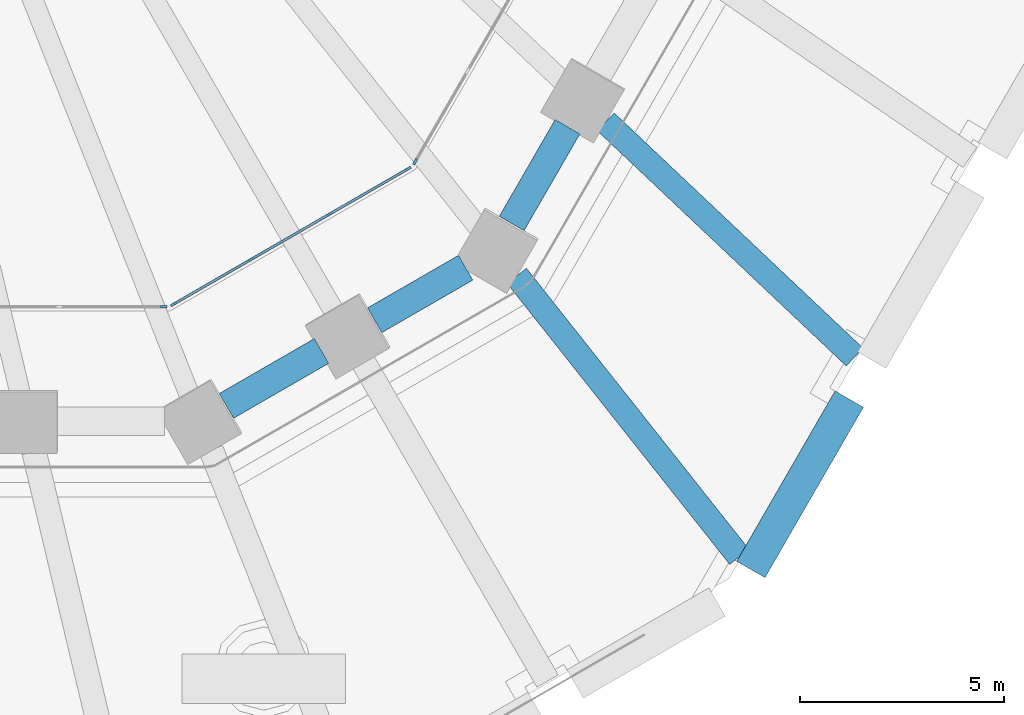
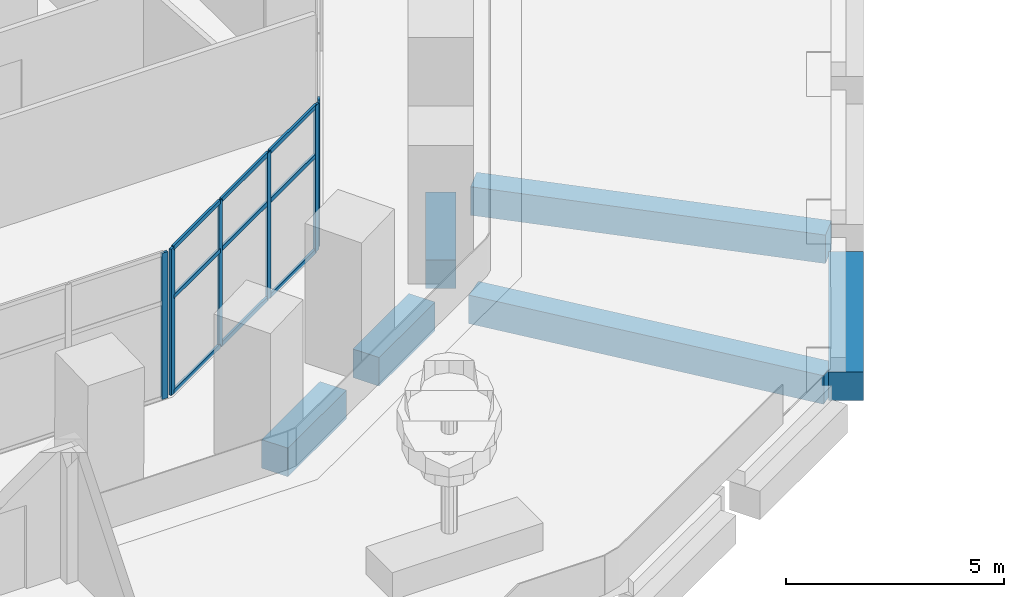
# One storey, part 7 of 32: 15 members, 6 beams, 3 elements without a shape of their own.
"""IFC4 building model written with IfcOpenShell, lengths in metres."""

from ifc_helpers import new_model, si_unit, direction, frame, origin, origin_2d, place, context, subcontext, project, spatial, rectangle, extrude, material, material_profile, profile_set, type_object, element, aggregate, save


model = new_model("IFC4")

# Units and contexts
model_context = context("Model", 3, precision=1e-05, world=origin(), true_north=direction((0.0, 1.0)))
body_context = subcontext(model_context, "Body", "Model", "MODEL_VIEW")
ifc_project = project(units=[si_unit("LENGTHUNIT", "METRE"), si_unit("AREAUNIT", "SQUARE_METRE"), si_unit("VOLUMEUNIT", "CUBIC_METRE"), si_unit("PLANEANGLEUNIT", "RADIAN"), si_unit("MASSUNIT", "GRAM", prefix="KILO")], contexts=[model_context])

# Site, building, storey
site_placement = place(None, origin())
site = spatial("IfcSite", under=ifc_project, at=site_placement, CompositionType="ELEMENT")
building_placement = place(site_placement, origin())
building = spatial("IfcBuilding", under=site, at=building_placement, Name="Frailejon Research Tower", CompositionType="ELEMENT")
storey_placement = place(building_placement, frame((0.0, 0.0, 14.60009765625)))
storey = spatial("IfcBuildingStorey", under=building, at=storey_placement, Name="L03", CompositionType="ELEMENT", Elevation=14.60009765625)

# Beam
ifc_material_1 = material(Name="Concrete C60/75", Category="concrete")
ifc_material_profile_1 = material_profile(ifc_material_1, rectangle(XDim=0.800048828125, YDim=0.800048828125, at=origin_2d()), Name="Base ring beam")
ifc_profile_set_1 = profile_set([ifc_material_profile_1], Name="Concrete C60/75")
beam_type_1 = type_object("IfcBeamType", Name="Base ring beam", PredefinedType="BEAM", material=ifc_profile_set_1)
beam_1_placement = place(storey_placement, frame((24.0595703125, -30.327392578125, -0.800048828125), z_axis=(0.500028306193, 0.866009060579, 0.0), x_axis=(-0.866009060579, 0.500028306193, 0.0)))
element("IfcBeam", 1, at=beam_1_placement, inside=storey, type_object=beam_type_1, Name="Base ring beam", PredefinedType="BEAM", context=body_context, shape_type="SweptSolid", body=[
    extrude(rectangle(XDim=0.800048828125, YDim=0.800048828125, at=origin_2d()), origin(), (0.0, 0.0, 1.0), 4.813720703125),
])

# Curtain wall, member
ifc_material_2 = material(Name="Aluminium curtain wall", Category="aluminium")
curtain_wall_type = type_object("IfcCurtainWallType", Name="Base zone unitised curtain wall system", PredefinedType="NOTDEFINED", material=ifc_material_2)
curtain_wall_1_placement = place(storey_placement, origin())
curtain_wall_1 = element("IfcCurtainWall", 2, at=curtain_wall_1_placement, inside=storey, type_object=curtain_wall_type, Name="Curtain wall L03", PredefinedType="NOTDEFINED")
ifc_material_3 = material(Name="Aluminium extrusion", Category="aluminium")
ifc_material_profile_2 = material_profile(ifc_material_3, rectangle(XDim=0.06005859375, YDim=0.159912109375, at=origin_2d()), Name="Base zone unitised curtain wall mullion 60x160")
ifc_profile_set_2 = profile_set([ifc_material_profile_2], Name="Aluminium extrusion")
member_type_1 = type_object("IfcMemberType", Name="Base zone unitised curtain wall mullion 60x160", PredefinedType="MULLION", material=ifc_profile_set_2)
member_1_placement = place(storey_placement, frame((9.69970703125, -23.89990234375, 0.0), z_axis=(0.0, 0.0, 1.0), x_axis=(0.0, 1.0, 0.0)))
member_1 = element("IfcMember", 3, at=member_1_placement, type_object=member_type_1, Name="CW3-059 mullion 4", PredefinedType="MULLION", context=body_context, shape_type="SweptSolid", body=[
    extrude(rectangle(XDim=0.06005859375, YDim=0.159912109375, at=origin_2d()), origin(), (0.0, 0.0, 1.0), 4.099853515625),
])
aggregate(curtain_wall_1, [member_1])

# Curtain wall, members
curtain_wall_2_placement = place(storey_placement, origin())
curtain_wall_2 = element("IfcCurtainWall", 4, at=curtain_wall_2_placement, inside=storey, type_object=curtain_wall_type, Name="Curtain wall L03", PredefinedType="NOTDEFINED")
member_2_placement = place(storey_placement, frame((9.942138671875, -23.8349609375, 0.0), z_axis=(0.0, 0.0, 1.0), x_axis=(-0.499998258782, 0.866026409075, 0.0)))
member_2 = element("IfcMember", 5, at=member_2_placement, type_object=member_type_1, Name="CW3-060 mullion 1", PredefinedType="MULLION", context=body_context, shape_type="SweptSolid", body=[
    extrude(rectangle(XDim=0.06005859375, YDim=0.159912109375, at=origin_2d()), origin(), (0.0, 0.0, 1.0), 4.099853515625),
])
member_3_placement = place(storey_placement, frame((11.843017578125, -22.737548828125, 0.0), z_axis=(0.0, 0.0, 1.0), x_axis=(-0.499998258782, 0.866026409075, 0.0)))
member_3 = element("IfcMember", 6, at=member_3_placement, type_object=member_type_1, Name="CW3-060 mullion 2", PredefinedType="MULLION", context=body_context, shape_type="SweptSolid", body=[
    extrude(rectangle(XDim=0.06005859375, YDim=0.159912109375, at=origin_2d()), origin(), (0.0, 0.0, 1.0), 4.099853515625),
])
member_4_placement = place(storey_placement, frame((13.769775390625, -21.625244140625, 0.0), z_axis=(0.0, 0.0, 1.0), x_axis=(-0.499998258782, 0.866026409075, 0.0)))
member_4 = element("IfcMember", 7, at=member_4_placement, type_object=member_type_1, Name="CW3-060 mullion 3", PredefinedType="MULLION", context=body_context, shape_type="SweptSolid", body=[
    extrude(rectangle(XDim=0.06005859375, YDim=0.159912109375, at=origin_2d()), origin(), (0.0, 0.0, 1.0), 4.099853515625),
])
member_5_placement = place(storey_placement, frame((15.670654296875, -20.527587890625, 0.0), z_axis=(0.0, 0.0, 1.0), x_axis=(-0.499998258782, 0.866026409075, 0.0)))
member_5 = element("IfcMember", 8, at=member_5_placement, type_object=member_type_1, Name="CW3-060 mullion 4", PredefinedType="MULLION", context=body_context, shape_type="SweptSolid", body=[
    extrude(rectangle(XDim=0.06005859375, YDim=0.159912109375, at=origin_2d()), origin(), (0.0, 0.0, 1.0), 4.099853515625),
])

# Curtain wall, member
curtain_wall_3_placement = place(storey_placement, origin())
curtain_wall_3 = element("IfcCurtainWall", 9, at=curtain_wall_3_placement, inside=storey, type_object=curtain_wall_type, Name="Curtain wall L03", PredefinedType="NOTDEFINED")
member_6_placement = place(storey_placement, frame((15.84814453125, -20.35009765625, 0.0), z_axis=(0.0, 0.0, 1.0), x_axis=(-0.866029434533, 0.499993018474, 0.0)))
member_6 = element("IfcMember", 10, at=member_6_placement, type_object=member_type_1, Name="CW3-061 mullion 1", PredefinedType="MULLION", context=body_context, shape_type="SweptSolid", body=[
    extrude(rectangle(XDim=0.06005859375, YDim=0.159912109375, at=origin_2d()), origin(), (0.0, 0.0, 1.0), 4.099853515625),
])
aggregate(curtain_wall_3, [member_6])

# Member
ifc_material_4 = material(Name="Aluminium extrusion", Category="aluminium")
ifc_material_profile_3 = material_profile(ifc_material_4, rectangle(XDim=0.06005859375, YDim=0.1201171875, at=origin_2d()), Name="Base zone unitised curtain wall transom 60x120")
ifc_profile_set_3 = profile_set([ifc_material_profile_3], Name="Aluminium extrusion")
member_type_2 = type_object("IfcMemberType", Name="Base zone unitised curtain wall transom 60x120", PredefinedType="USERDEFINED", material=ifc_profile_set_3)
member_7_placement = place(storey_placement, frame((9.96826171875, -23.820068359375, 0.02978515625), z_axis=(0.866038951244, 0.499976534377, 0.0), x_axis=(-0.499976534377, 0.866038951244, 0.0)))
member_7 = element("IfcMember", 11, at=member_7_placement, type_object=member_type_2, Name="CW3-060 transom 1.1", ObjectType="TRANSOM", PredefinedType="USERDEFINED", context=body_context, shape_type="SweptSolid", body=[
    extrude(rectangle(XDim=0.06005859375, YDim=0.1201171875, at=origin_2d()), origin(), (0.0, 0.0, 1.0), 2.134765625),
])

member_8_placement = place(storey_placement, frame((9.96826171875, -23.820068359375, 2.699951171875), z_axis=(0.866038951244, 0.499976534377, 0.0), x_axis=(-0.499976534377, 0.866038951244, 0.0)))
member_8 = element("IfcMember", 12, at=member_8_placement, type_object=member_type_2, Name="CW3-060 transom 1.2", ObjectType="TRANSOM", PredefinedType="USERDEFINED", context=body_context, shape_type="SweptSolid", body=[
    extrude(rectangle(XDim=0.06005859375, YDim=0.1201171875, at=origin_2d()), origin(), (0.0, 0.0, 1.0), 2.134765625),
])

member_9_placement = place(storey_placement, frame((9.96826171875, -23.820068359375, 4.06982421875), z_axis=(0.866038951244, 0.499976534377, 0.0), x_axis=(-0.499976534377, 0.866038951244, 0.0)))
member_9 = element("IfcMember", 13, at=member_9_placement, type_object=member_type_2, Name="CW3-060 transom 1.3", ObjectType="TRANSOM", PredefinedType="USERDEFINED", context=body_context, shape_type="SweptSolid", body=[
    extrude(rectangle(XDim=0.06005859375, YDim=0.1201171875, at=origin_2d()), origin(), (0.0, 0.0, 1.0), 2.134765625),
])

member_10_placement = place(storey_placement, frame((11.868896484375, -22.72265625, 0.02978515625), z_axis=(0.866027848477, 0.499995765644, 0.0), x_axis=(-0.499995765644, 0.866027848477, 0.0)))
member_10 = element("IfcMember", 14, at=member_10_placement, type_object=member_type_2, Name="CW3-060 transom 2.1", ObjectType="TRANSOM", PredefinedType="USERDEFINED", context=body_context, shape_type="SweptSolid", body=[
    extrude(rectangle(XDim=0.06005859375, YDim=0.1201171875, at=origin_2d()), origin(), (0.0, 0.0, 1.0), 2.1650390625),
])

member_11_placement = place(storey_placement, frame((11.868896484375, -22.72265625, 2.699951171875), z_axis=(0.866027848477, 0.499995765644, 0.0), x_axis=(-0.499995765644, 0.866027848477, 0.0)))
member_11 = element("IfcMember", 15, at=member_11_placement, type_object=member_type_2, Name="CW3-060 transom 2.2", ObjectType="TRANSOM", PredefinedType="USERDEFINED", context=body_context, shape_type="SweptSolid", body=[
    extrude(rectangle(XDim=0.06005859375, YDim=0.1201171875, at=origin_2d()), origin(), (0.0, 0.0, 1.0), 2.1650390625),
])

member_12_placement = place(storey_placement, frame((11.868896484375, -22.72265625, 4.06982421875), z_axis=(0.866027848477, 0.499995765644, 0.0), x_axis=(-0.499995765644, 0.866027848477, 0.0)))
member_12 = element("IfcMember", 16, at=member_12_placement, type_object=member_type_2, Name="CW3-060 transom 2.3", ObjectType="TRANSOM", PredefinedType="USERDEFINED", context=body_context, shape_type="SweptSolid", body=[
    extrude(rectangle(XDim=0.06005859375, YDim=0.1201171875, at=origin_2d()), origin(), (0.0, 0.0, 1.0), 2.1650390625),
])

member_13_placement = place(storey_placement, frame((13.7958984375, -21.610107421875, 0.02978515625), z_axis=(0.866010359988, 0.500026055714, 0.0), x_axis=(-0.500026055714, 0.866010359988, 0.0)))
member_13 = element("IfcMember", 17, at=member_13_placement, type_object=member_type_2, Name="CW3-060 transom 3.1", ObjectType="TRANSOM", PredefinedType="USERDEFINED", context=body_context, shape_type="SweptSolid", body=[
    extrude(rectangle(XDim=0.06005859375, YDim=0.1201171875, at=origin_2d()), origin(), (0.0, 0.0, 1.0), 2.134765625),
])

member_14_placement = place(storey_placement, frame((13.7958984375, -21.610107421875, 2.699951171875), z_axis=(0.866010359988, 0.500026055714, 0.0), x_axis=(-0.500026055714, 0.866010359988, 0.0)))
member_14 = element("IfcMember", 18, at=member_14_placement, type_object=member_type_2, Name="CW3-060 transom 3.2", ObjectType="TRANSOM", PredefinedType="USERDEFINED", context=body_context, shape_type="SweptSolid", body=[
    extrude(rectangle(XDim=0.06005859375, YDim=0.1201171875, at=origin_2d()), origin(), (0.0, 0.0, 1.0), 2.134765625),
])

member_15_placement = place(storey_placement, frame((13.7958984375, -21.610107421875, 4.06982421875), z_axis=(0.866010359988, 0.500026055714, 0.0), x_axis=(-0.500026055714, 0.866010359988, 0.0)))
member_15 = element("IfcMember", 19, at=member_15_placement, type_object=member_type_2, Name="CW3-060 transom 3.3", ObjectType="TRANSOM", PredefinedType="USERDEFINED", context=body_context, shape_type="SweptSolid", body=[
    extrude(rectangle(XDim=0.06005859375, YDim=0.1201171875, at=origin_2d()), origin(), (0.0, 0.0, 1.0), 2.134765625),
])

aggregate(curtain_wall_2, [member_2, member_3, member_4, member_5, member_7, member_8, member_9, member_10, member_11, member_12, member_13, member_14, member_15])

# Beams
ifc_material_5 = material(Name="Concrete C60/75", Category="concrete")
ifc_material_profile_4 = material_profile(ifc_material_5, rectangle(XDim=0.60009765625, YDim=0.800048828125, at=origin_2d()), Name="Deck girder")
ifc_profile_set_4 = profile_set([ifc_material_profile_4], Name="Concrete C60/75")
beam_type_2 = type_object("IfcBeamType", Name="Deck girder", PredefinedType="BEAM", material=ifc_profile_set_4)
beam_2_placement = place(storey_placement, frame((18.333740234375, -23.144775390625, -0.800048828125), z_axis=(0.620924761668, -0.783870168043, 0.0), x_axis=(0.783870168043, 0.620924761668, 0.0)))
element("IfcBeam", 20, at=beam_2_placement, inside=storey, type_object=beam_type_2, Name="Deck girder", PredefinedType="BEAM", context=body_context, shape_type="SweptSolid", body=[
    extrude(rectangle(XDim=0.60009765625, YDim=0.800048828125, at=origin_2d()), origin(), (0.0, 0.0, 1.0), 8.7666015625),
])
beam_3_placement = place(storey_placement, frame((20.50927734375, -19.376953125, -0.800048828125), z_axis=(0.726887862769, -0.68675616849, 0.0), x_axis=(0.68675616849, 0.726887862769, 0.0)))
element("IfcBeam", 21, at=beam_3_placement, inside=storey, type_object=beam_type_2, Name="Deck girder", PredefinedType="BEAM", context=body_context, shape_type="SweptSolid", body=[
    extrude(rectangle(XDim=0.60009765625, YDim=0.800048828125, at=origin_2d()), origin(), (0.0, 0.0, 1.0), 8.376953125),
])
ifc_material_6 = material(Name="Concrete C60/75", Category="concrete")
ifc_material_profile_5 = material_profile(ifc_material_6, rectangle(XDim=0.699951171875, YDim=0.800048828125, at=origin_2d()), Name="Spandrel 700x800")
ifc_profile_set_5 = profile_set([ifc_material_profile_5], Name="Concrete C60/75")
beam_type_3 = type_object("IfcBeamType", Name="Spandrel 700x800", PredefinedType="BEAM", material=ifc_profile_set_5)
beam_4_placement = place(storey_placement, frame((11.2294921875, -26.324951171875, -0.75), z_axis=(0.866020687897, 0.500008168067, 0.0), x_axis=(-0.500008168067, 0.866020687897, 0.0)))
element("IfcBeam", 22, at=beam_4_placement, inside=storey, type_object=beam_type_3, Name="Spandrel 700x800", PredefinedType="BEAM", context=body_context, shape_type="SweptSolid", body=[
    extrude(rectangle(XDim=0.699951171875, YDim=0.800048828125, at=origin_2d()), origin(), (0.0, 0.0, 1.0), 2.6875),
])
beam_5_placement = place(storey_placement, frame((14.85595703125, -24.231201171875, -0.75), z_axis=(0.866008514048, 0.50002925274, 0.0), x_axis=(-0.50002925274, 0.866008514048, 0.0)))
element("IfcBeam", 23, at=beam_5_placement, inside=storey, type_object=beam_type_3, Name="Spandrel 700x800", PredefinedType="BEAM", context=body_context, shape_type="SweptSolid", body=[
    extrude(rectangle(XDim=0.699951171875, YDim=0.800048828125, at=origin_2d()), origin(), (0.0, 0.0, 1.0), 2.571533203125),
])
beam_6_placement = place(storey_placement, frame((18.2080078125, -21.86279296875, -0.75), z_axis=(0.500031897912, 0.866006986733, 0.0), x_axis=(-0.866006986733, 0.500031897912, 0.0)))
element("IfcBeam", 24, at=beam_6_placement, inside=storey, type_object=beam_type_3, Name="Spandrel 700x800", PredefinedType="BEAM", context=body_context, shape_type="SweptSolid", body=[
    extrude(rectangle(XDim=0.699951171875, YDim=0.800048828125, at=origin_2d()), origin(), (0.0, 0.0, 1.0), 2.731689453125),
])

save(model, "model.ifc")
